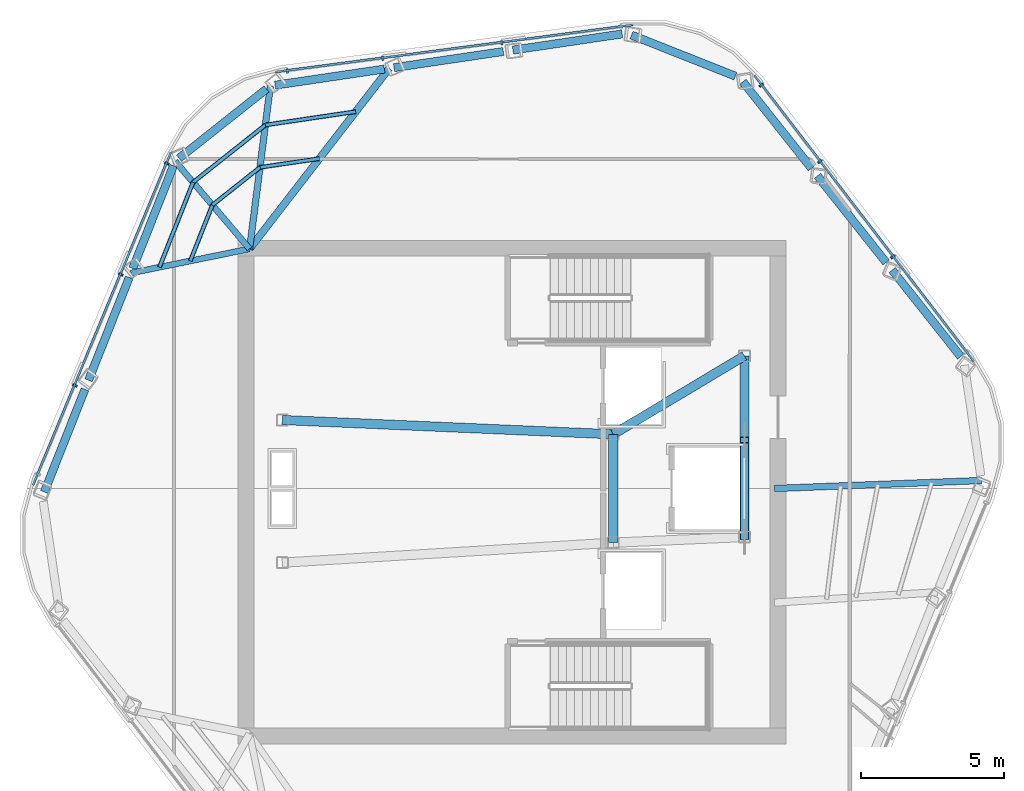
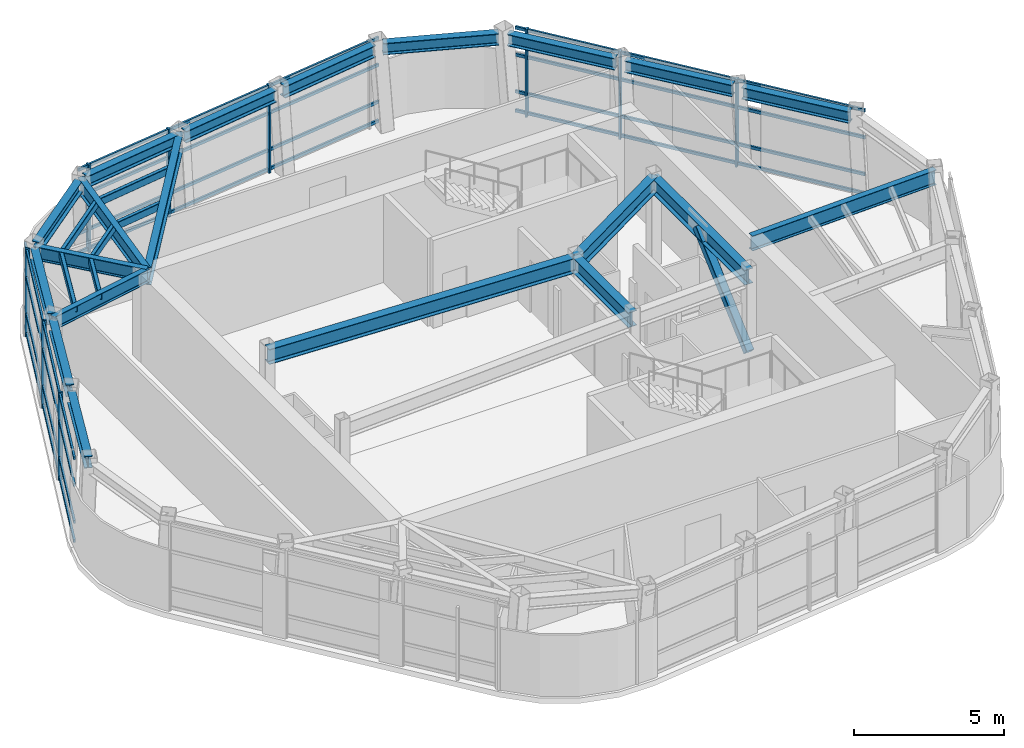
# One storey, part 3 of 9: 28 members, 20 beams, 3 elements without a shape of their own.
"""IFC4 building model written with IfcOpenShell, lengths in metres."""

from ifc_helpers import new_model, si_unit, direction, frame, origin, origin_2d, place, context, subcontext, project, spatial, rectangle, hollow_rectangle, i_section, extrude, material, layer, layer_set, material_profile, profile_set, type_object, element, aggregate, save


model = new_model("IFC4")

# Units and contexts
model_context = context("Model", 3, precision=1e-05, world=origin(), true_north=direction((0.0, 1.0)))
body_context = subcontext(model_context, "Body", "Model", "MODEL_VIEW")
ifc_project = project(units=[si_unit("LENGTHUNIT", "METRE"), si_unit("AREAUNIT", "SQUARE_METRE"), si_unit("VOLUMEUNIT", "CUBIC_METRE"), si_unit("PLANEANGLEUNIT", "RADIAN"), si_unit("MASSUNIT", "GRAM", prefix="KILO")], contexts=[model_context])

# Site, building, storey
site_placement = place(None, origin())
site = spatial("IfcSite", under=ifc_project, at=site_placement, CompositionType="ELEMENT")
building_placement = place(site_placement, origin())
building = spatial("IfcBuilding", under=site, at=building_placement, Name="Valkerne Bourse Tower", CompositionType="ELEMENT")
storey_placement = place(building_placement, frame((0.0, 0.0, 315.39990234375)))
storey = spatial("IfcBuildingStorey", under=building, at=storey_placement, Name="L80", CompositionType="ELEMENT", Elevation=315.39990234375)

# Beams
ifc_material_1 = material(Name="Steel ASTM A992", Category="steel")
ifc_material_profile_1 = material_profile(ifc_material_1, i_section(OverallWidth=0.284423828125, OverallDepth=0.47509765625, WebThickness=0.014892578125, FlangeThickness=0.02392578125, FilletRadius=0.017822265625, at=origin_2d()), Name="W18X106")
ifc_profile_set_1 = profile_set([ifc_material_profile_1], Name="Steel ASTM A992")
beam_type_1 = type_object("IfcBeamType", Name="BM-W18X106", PredefinedType="BEAM", material=ifc_profile_set_1)
for number, where, z_axis, x_axis, name in (
    (1, (50.66162109375, 42.933837890625, 3.342529296875), (-0.98927005434, -0.146098458532, 0.0), (0.146098458532, -0.98927005434, 0.0), "L80 Hexagonal Spandrel Ring Beam 00"),
    (2, (46.494873046875, 42.318603515625, 3.342529296875), (-0.989260939107, -0.146160166795, 0.0), (0.146160166795, -0.989260939107, 0.0), "L80 Hexagonal Spandrel Ring Beam 01"),
    (3, (42.328125, 41.703125, 3.342529296875), (-0.98927005434, -0.146098458532, 0.0), (0.146098458532, -0.98927005434, 0.0), "L80 Hexagonal Spandrel Ring Beam 02"),
):
    element("IfcBeam", number, at=place(storey_placement, frame(where, z_axis=z_axis, x_axis=x_axis)), inside=storey, type_object=beam_type_1, Name=name, PredefinedType="BEAM", context=body_context, shape_type="SweptSolid", body=[
        extrude(i_section(OverallWidth=0.284423828125, OverallDepth=0.47509765625, WebThickness=0.014892578125, FlangeThickness=0.02392578125, FilletRadius=0.017822265625, at=origin_2d()), origin(), (0.0, 0.0, 1.0), 3.871826171875),
    ])
beam_1_placement = place(storey_placement, frame((38.1962890625, 41.007080078125, 3.342529296875), z_axis=(-0.783695480101, -0.621145228162, 0.0), x_axis=(0.621145228162, -0.783695480101, 0.0)))
element("IfcBeam", 4, at=beam_1_placement, inside=storey, type_object=beam_type_1, Name="L80 Hexagonal Spandrel Ring Beam 03", PredefinedType="BEAM", context=body_context, shape_type="SweptSolid", body=[
    extrude(i_section(OverallWidth=0.284423828125, OverallDepth=0.47509765625, WebThickness=0.014892578125, FlangeThickness=0.02392578125, FilletRadius=0.017822265625, at=origin_2d()), origin(), (0.0, 0.0, 1.0), 3.91552734375),
])
for number, where, z_axis, x_axis, name in (
    (5, (34.931884765625, 38.311279296875, 3.342529296875), (-0.368159741389, -0.929762552924, 0.0), (0.929762552924, -0.368159741389, 0.0), "L80 Hexagonal Spandrel Ring Beam 04"),
    (6, (33.381103515625, 34.39501953125, 3.342529296875), (-0.368105233791, -0.929784134547, 0.0), (0.929784134547, -0.368105233791, 0.0), "L80 Hexagonal Spandrel Ring Beam 05"),
):
    element("IfcBeam", number, at=place(storey_placement, frame(where, z_axis=z_axis, x_axis=x_axis)), inside=storey, type_object=beam_type_1, Name=name, PredefinedType="BEAM", context=body_context, shape_type="SweptSolid", body=[
        extrude(i_section(OverallWidth=0.284423828125, OverallDepth=0.47509765625, WebThickness=0.014892578125, FlangeThickness=0.02392578125, FilletRadius=0.017822265625, at=origin_2d()), origin(), (0.0, 0.0, 1.0), 3.8720703125),
    ])
for number, where, z_axis, x_axis, name in (
    (7, (31.830810546875, 30.478759765625, 3.342529296875), (-0.368126815483, -0.92977558998, 0.0), (0.92977558998, -0.368126815483, 0.0), "L80 Hexagonal Spandrel Ring Beam 06"),
    (8, (62.530029296875, 31.62255859375, 3.342529296875), (-0.621143752314, 0.783696649834, 0.0), (-0.783696649834, -0.621143752314, 0.0), "L80 Hexagonal Spandrel Ring Beam 20"),
):
    element("IfcBeam", number, at=place(storey_placement, frame(where, z_axis=z_axis, x_axis=x_axis)), inside=storey, type_object=beam_type_1, Name=name, PredefinedType="BEAM", context=body_context, shape_type="SweptSolid", body=[
        extrude(i_section(OverallWidth=0.284423828125, OverallDepth=0.47509765625, WebThickness=0.014892578125, FlangeThickness=0.02392578125, FilletRadius=0.017822265625, at=origin_2d()), origin(), (0.0, 0.0, 1.0), 3.871826171875),
    ])
beam_2_placement = place(storey_placement, frame((59.913818359375, 34.92333984375, 3.342529296875), z_axis=(-0.62115178414, 0.783690283888, 0.0), x_axis=(-0.783690283888, -0.62115178414, 0.0)))
element("IfcBeam", 9, at=beam_2_placement, inside=storey, type_object=beam_type_1, Name="L80 Hexagonal Spandrel Ring Beam 21", PredefinedType="BEAM", context=body_context, shape_type="SweptSolid", body=[
    extrude(i_section(OverallWidth=0.284423828125, OverallDepth=0.47509765625, WebThickness=0.014892578125, FlangeThickness=0.02392578125, FilletRadius=0.017822265625, at=origin_2d()), origin(), (0.0, 0.0, 1.0), 3.872314453125),
])
beam_3_placement = place(storey_placement, frame((57.29736328125, 38.224365234375, 3.342529296875), z_axis=(-0.621143752314, 0.783696649834, 0.0), x_axis=(-0.783696649834, -0.621143752314, 0.0)))
element("IfcBeam", 10, at=beam_3_placement, inside=storey, type_object=beam_type_1, Name="L80 Hexagonal Spandrel Ring Beam 22", PredefinedType="BEAM", context=body_context, shape_type="SweptSolid", body=[
    extrude(i_section(OverallWidth=0.284423828125, OverallDepth=0.47509765625, WebThickness=0.014892578125, FlangeThickness=0.02392578125, FilletRadius=0.017822265625, at=origin_2d()), origin(), (0.0, 0.0, 1.0), 3.871826171875),
])
beam_4_placement = place(storey_placement, frame((54.628662109375, 41.45458984375, 3.342529296875), z_axis=(-0.929778160455, 0.368120323184, 0.0), x_axis=(-0.368120323184, -0.929778160455, 0.0)))
element("IfcBeam", 11, at=beam_4_placement, inside=storey, type_object=beam_type_1, Name="L80 Hexagonal Spandrel Ring Beam 23", PredefinedType="BEAM", context=body_context, shape_type="SweptSolid", body=[
    extrude(i_section(OverallWidth=0.284423828125, OverallDepth=0.47509765625, WebThickness=0.014892578125, FlangeThickness=0.02392578125, FilletRadius=0.017822265625, at=origin_2d()), origin(), (0.0, 0.0, 1.0), 3.91552734375),
])
ifc_material_profile_2 = material_profile(ifc_material_1, i_section(OverallWidth=0.209228515625, OverallDepth=0.533447265625, WebThickness=0.01025390625, FlangeThickness=0.015625, FilletRadius=0.017822265625, at=origin_2d()), Name="W21X62")
ifc_profile_set_2 = profile_set([ifc_material_profile_2], Name="Steel ASTM A992")
beam_type_2 = type_object("IfcBeamType", Name="BM-W21X62", PredefinedType="JOIST", material=ifc_profile_set_2)
beam_5_placement = place(storey_placement, frame((33.44384765625, 34.552978515625, 3.3134765625), z_axis=(0.979863621265, 0.199667933633, 0.0), x_axis=(-0.199667933633, 0.979863621265, 0.0)))
element("IfcBeam", 12, at=beam_5_placement, inside=storey, type_object=beam_type_2, Name="L80 Radial Composite Floor Beam 05", PredefinedType="JOIST", context=body_context, shape_type="SweptSolid", body=[
    extrude(i_section(OverallWidth=0.209228515625, OverallDepth=0.533447265625, WebThickness=0.01025390625, FlangeThickness=0.015625, FilletRadius=0.017822265625, at=origin_2d()), origin(), (0.0, 0.0, 1.0), 4.24169921875),
])
ifc_material_profile_3 = material_profile(ifc_material_1, i_section(OverallWidth=0.2138671875, OverallDepth=0.548583984375, WebThickness=0.0146484375, FlangeThickness=0.023681640625, FilletRadius=0.017822265625, at=origin_2d()), Name="W21X93")
ifc_profile_set_3 = profile_set([ifc_material_profile_3], Name="Steel ASTM A992")
beam_type_3 = type_object("IfcBeamType", Name="BM-W21X93", PredefinedType="BEAM", material=ifc_profile_set_3)
beam_6_placement = place(storey_placement, frame((34.994384765625, 38.469482421875, 3.305908203125), z_axis=(0.647153701976, -0.762359551667, 0.0), x_axis=(0.762359551667, 0.647153701976, 0.0)))
element("IfcBeam", 13, at=beam_6_placement, inside=storey, type_object=beam_type_3, Name="L80 Radial Composite Floor Beam 04", PredefinedType="BEAM", context=body_context, shape_type="SweptSolid", body=[
    extrude(i_section(OverallWidth=0.2138671875, OverallDepth=0.548583984375, WebThickness=0.0146484375, FlangeThickness=0.023681640625, FilletRadius=0.017822265625, at=origin_2d()), origin(), (0.0, 0.0, 1.0), 4.0263671875),
])
ifc_material_profile_4 = material_profile(ifc_material_1, i_section(OverallWidth=0.3251953125, OverallDepth=0.612060546875, WebThickness=0.0126953125, FlangeThickness=0.01904296875, FilletRadius=0.020263671875, at=origin_2d()), Name="W24X104")
ifc_profile_set_4 = profile_set([ifc_material_profile_4], Name="Steel ASTM A992")
beam_type_4 = type_object("IfcBeamType", Name="BM-W24X104", PredefinedType="BEAM", material=ifc_profile_set_4)
beam_7_placement = place(storey_placement, frame((50.35009765625, 25.10009765625, 3.27392578125), z_axis=(0.0, 1.0, 0.0), x_axis=(-1.0, 0.0, 0.0)))
element("IfcBeam", 14, at=beam_7_placement, inside=storey, type_object=beam_type_4, Name="L80 Core Frame Girder CG-CE", PredefinedType="BEAM", context=body_context, shape_type="SweptSolid", body=[
    extrude(i_section(OverallWidth=0.3251953125, OverallDepth=0.612060546875, WebThickness=0.0126953125, FlangeThickness=0.01904296875, FilletRadius=0.020263671875, at=origin_2d()), origin(), (0.0, 0.0, 1.0), 3.7998046875),
])
beam_8_placement = place(storey_placement, frame((50.35009765625, 28.89990234375, 3.27392578125), z_axis=(0.858307823492, 0.513135148019, 0.0), x_axis=(-0.513135148019, 0.858307823492, 0.0)))
element("IfcBeam", 15, at=beam_8_placement, inside=storey, type_object=beam_type_4, Name="L80 Core Frame Girder CG-NE", PredefinedType="BEAM", context=body_context, shape_type="SweptSolid", body=[
    extrude(i_section(OverallWidth=0.3251953125, OverallDepth=0.612060546875, WebThickness=0.0126953125, FlangeThickness=0.01904296875, FilletRadius=0.020263671875, at=origin_2d()), origin(), (0.0, 0.0, 1.0), 5.359130859375),
])
beam_9_placement = place(storey_placement, frame((54.949951171875, 25.300048828125, 3.27392578125), z_axis=(0.0, 1.0, 0.0), x_axis=(-1.0, 0.0, 0.0)))
element("IfcBeam", 16, at=beam_9_placement, inside=storey, type_object=beam_type_4, Name="L80 Core Frame Girder CG-EE", PredefinedType="BEAM", context=body_context, shape_type="SweptSolid", body=[
    extrude(i_section(OverallWidth=0.3251953125, OverallDepth=0.612060546875, WebThickness=0.0126953125, FlangeThickness=0.01904296875, FilletRadius=0.020263671875, at=origin_2d()), origin(), (0.0, 0.0, 1.0), 6.349853515625),
])
beam_10_placement = place(storey_placement, frame((38.75, 29.39990234375, 3.27392578125), z_axis=(0.999072354402, -0.043063101019, 0.0), x_axis=(0.043063101019, 0.999072354402, 0.0)))
element("IfcBeam", 17, at=beam_10_placement, inside=storey, type_object=beam_type_4, Name="L80 Core Frame Girder CG-NW", PredefinedType="BEAM", context=body_context, shape_type="SweptSolid", body=[
    extrude(i_section(OverallWidth=0.3251953125, OverallDepth=0.612060546875, WebThickness=0.0126953125, FlangeThickness=0.01904296875, FilletRadius=0.020263671875, at=origin_2d()), origin(), (0.0, 0.0, 1.0), 11.61083984375),
])
ifc_material_profile_5 = material_profile(ifc_material_1, i_section(OverallWidth=0.228271484375, OverallDepth=0.607177734375, WebThickness=0.01123046875, FlangeThickness=0.017333984375, FilletRadius=0.017822265625, at=origin_2d()), Name="W24X76")
ifc_profile_set_5 = profile_set([ifc_material_profile_5], Name="Steel ASTM A992")
beam_type_5 = type_object("IfcBeamType", Name="BM-W24X76", PredefinedType="JOIST", material=ifc_profile_set_5)
beam_11_placement = place(storey_placement, frame((38.32958984375, 41.11279296875, 3.276611328125), z_axis=(-0.126663835603, -0.991945700505, 0.0), x_axis=(0.991945700505, -0.126663835603, 0.0)))
element("IfcBeam", 18, at=beam_11_placement, inside=storey, type_object=beam_type_5, Name="L80 Radial Composite Floor Beam 03", PredefinedType="JOIST", context=body_context, shape_type="SweptSolid", body=[
    extrude(i_section(OverallWidth=0.228271484375, OverallDepth=0.607177734375, WebThickness=0.01123046875, FlangeThickness=0.017333984375, FilletRadius=0.017822265625, at=origin_2d()), origin(), (0.0, 0.0, 1.0), 5.75927734375),
])
beam_12_placement = place(storey_placement, frame((63.257080078125, 27.279296875, 3.276611328125), z_axis=(-0.999260230874, -0.038457651947, 0.0), x_axis=(0.038457651947, -0.999260230874, 0.0)))
element("IfcBeam", 19, at=beam_12_placement, inside=storey, type_object=beam_type_5, Name="L80 Radial Composite Floor Beam 19", PredefinedType="JOIST", context=body_context, shape_type="SweptSolid", body=[
    extrude(i_section(OverallWidth=0.228271484375, OverallDepth=0.607177734375, WebThickness=0.01123046875, FlangeThickness=0.017333984375, FilletRadius=0.017822265625, at=origin_2d()), origin(), (0.0, 0.0, 1.0), 7.262451171875),
])
ifc_material_profile_6 = material_profile(ifc_material_1, i_section(OverallWidth=0.255859375, OverallDepth=0.693359375, WebThickness=0.014404296875, FlangeThickness=0.023681640625, FilletRadius=0.02294921875, at=origin_2d()), Name="W27X114")
ifc_profile_set_6 = profile_set([ifc_material_profile_6], Name="Steel ASTM A992")
beam_type_6 = type_object("IfcBeamType", Name="BM-W27X114", PredefinedType="BEAM", material=ifc_profile_set_6)
beam_13_placement = place(storey_placement, frame((42.496337890625, 41.72802734375, 3.2333984375), z_axis=(-0.611942382246, -0.790902345939, 0.0), x_axis=(0.790902345939, -0.611942382246, 0.0)))
element("IfcBeam", 20, at=beam_13_placement, inside=storey, type_object=beam_type_6, Name="L80 Radial Composite Floor Beam 02", PredefinedType="BEAM", context=body_context, shape_type="SweptSolid", body=[
    extrude(i_section(OverallWidth=0.255859375, OverallDepth=0.693359375, WebThickness=0.014404296875, FlangeThickness=0.023681640625, FilletRadius=0.02294921875, at=origin_2d()), origin(), (0.0, 0.0, 1.0), 8.001220703125),
])

# Curtain wall, members
ifc_material_2 = material(Name="Aluminium AA 6063-T6", Category="aluminium")
ifc_layer = layer(ifc_material_2, 0.25)
ifc_layer_set = layer_set([ifc_layer], Name="Aluminium AA 6063-T6")
curtain_wall_type = type_object("IfcCurtainWallType", Name="CW-06", PredefinedType="NOTDEFINED", material=ifc_layer_set)
curtain_wall_1_placement = place(storey_placement, origin())
curtain_wall_1 = element("IfcCurtainWall", 21, at=curtain_wall_1_placement, inside=storey, type_object=curtain_wall_type, Name="L80 Hexagonal Stick Curtain Wall Face 1", PredefinedType="NOTDEFINED")
ifc_material_profile_7 = material_profile(ifc_material_2, rectangle(XDim=0.074951171875, YDim=0.159912109375, at=origin_2d()), Name="CWM-75X160")
ifc_profile_set_7 = profile_set([ifc_material_profile_7], Name="Aluminium AA 6063-T6")
member_type_1 = type_object("IfcMemberType", Name="CW-MUL-160X75", PredefinedType="MULLION", material=ifc_profile_set_7)
member_1_placement = place(storey_placement, frame((46.443359375, 42.6259765625, 0.0), z_axis=(0.0, 0.0, 1.0), x_axis=(-0.991443867861, -0.130533738481, 0.0)))
member_1 = element("IfcMember", 22, at=member_1_placement, type_object=member_type_1, Name="CW-L80-F1 Jamb Mullion 01A", PredefinedType="MULLION", context=body_context, shape_type="SweptSolid", body=[
    extrude(rectangle(XDim=0.074951171875, YDim=0.159912109375, at=origin_2d()), origin(), (0.0, 0.0, 1.0), 3.580078125),
])
member_2_placement = place(storey_placement, frame((42.267333984375, 42.076171875, 0.0), z_axis=(0.0, 0.0, 1.0), x_axis=(-0.991447344601, -0.130507328854, 0.0)))
member_2 = element("IfcMember", 23, at=member_2_placement, type_object=member_type_1, Name="CW-L80-F1 Jamb Mullion 02A", PredefinedType="MULLION", context=body_context, shape_type="SweptSolid", body=[
    extrude(rectangle(XDim=0.074951171875, YDim=0.159912109375, at=origin_2d()), origin(), (0.0, 0.0, 1.0), 3.580078125),
])
member_3_placement = place(storey_placement, frame((38.92431640625, 41.635986328125, 0.0), z_axis=(0.0, 0.0, 1.0), x_axis=(-0.991447344601, -0.130507328854, 0.0)))
member_3 = element("IfcMember", 24, at=member_3_placement, type_object=member_type_1, Name="CW-L80-F1 Jamb Mullion 02B", PredefinedType="MULLION", context=body_context, shape_type="SweptSolid", body=[
    extrude(rectangle(XDim=0.074951171875, YDim=0.159912109375, at=origin_2d()), origin(), (0.0, 0.0, 1.0), 3.580078125),
])

curtain_wall_2_placement = place(storey_placement, origin())
curtain_wall_2 = element("IfcCurtainWall", 25, at=curtain_wall_2_placement, inside=storey, type_object=curtain_wall_type, Name="L80 Hexagonal Stick Curtain Wall Face 2", PredefinedType="NOTDEFINED")
member_4_placement = place(storey_placement, frame((34.701171875, 38.3955078125, 0.0), z_axis=(0.0, 0.0, 1.0), x_axis=(-0.382689378694, -0.923877069439, 0.0)))
member_4 = element("IfcMember", 26, at=member_4_placement, type_object=member_type_1, Name="CW-L80-F2 Jamb Mullion 00A", PredefinedType="MULLION", context=body_context, shape_type="SweptSolid", body=[
    extrude(rectangle(XDim=0.074951171875, YDim=0.159912109375, at=origin_2d()), origin(), (0.0, 0.0, 1.0), 3.580078125),
])
member_5_placement = place(storey_placement, frame((33.08935546875, 34.504150390625, 0.0), z_axis=(0.0, 0.0, 1.0), x_axis=(-0.382669113873, -0.923885463295, 0.0)))
member_5 = element("IfcMember", 27, at=member_5_placement, type_object=member_type_1, Name="CW-L80-F2 Jamb Mullion 01A", PredefinedType="MULLION", context=body_context, shape_type="SweptSolid", body=[
    extrude(rectangle(XDim=0.074951171875, YDim=0.159912109375, at=origin_2d()), origin(), (0.0, 0.0, 1.0), 3.580078125),
])
member_6_placement = place(storey_placement, frame((31.4775390625, 30.61279296875, 0.0), z_axis=(0.0, 0.0, 1.0), x_axis=(-0.382689378694, -0.923877069439, 0.0)))
member_6 = element("IfcMember", 28, at=member_6_placement, type_object=member_type_1, Name="CW-L80-F2 Jamb Mullion 02A", PredefinedType="MULLION", context=body_context, shape_type="SweptSolid", body=[
    extrude(rectangle(XDim=0.074951171875, YDim=0.159912109375, at=origin_2d()), origin(), (0.0, 0.0, 1.0), 3.580078125),
])

curtain_wall_3_placement = place(storey_placement, origin())
curtain_wall_3 = element("IfcCurtainWall", 29, at=curtain_wall_3_placement, inside=storey, type_object=curtain_wall_type, Name="L80 Hexagonal Stick Curtain Wall Face 6", PredefinedType="NOTDEFINED")
member_7_placement = place(storey_placement, frame((60.154052734375, 35.121826171875, 0.0), z_axis=(0.0, 0.0, 1.0), x_axis=(-0.608761449474, 0.793353324588, 0.0)))
member_7 = element("IfcMember", 30, at=member_7_placement, type_object=member_type_1, Name="CW-L80-F6 Jamb Mullion 01A", PredefinedType="MULLION", context=body_context, shape_type="SweptSolid", body=[
    extrude(rectangle(XDim=0.074951171875, YDim=0.159912109375, at=origin_2d()), origin(), (0.0, 0.0, 1.0), 3.580078125),
])
member_8_placement = place(storey_placement, frame((57.590087890625, 38.46337890625, 0.0), z_axis=(0.0, 0.0, 1.0), x_axis=(-0.608761449474, 0.793353324588, 0.0)))
member_8 = element("IfcMember", 31, at=member_8_placement, type_object=member_type_1, Name="CW-L80-F6 Jamb Mullion 02A", PredefinedType="MULLION", context=body_context, shape_type="SweptSolid", body=[
    extrude(rectangle(XDim=0.074951171875, YDim=0.159912109375, at=origin_2d()), origin(), (0.0, 0.0, 1.0), 3.580078125),
])
member_9_placement = place(storey_placement, frame((55.537109375, 41.138671875, 0.0), z_axis=(0.0, 0.0, 1.0), x_axis=(-0.608761449474, 0.793353324588, 0.0)))
member_9 = element("IfcMember", 32, at=member_9_placement, type_object=member_type_1, Name="CW-L80-F6 Jamb Mullion 02B", PredefinedType="MULLION", context=body_context, shape_type="SweptSolid", body=[
    extrude(rectangle(XDim=0.074951171875, YDim=0.159912109375, at=origin_2d()), origin(), (0.0, 0.0, 1.0), 3.580078125),
])

# Member
ifc_material_profile_8 = material_profile(ifc_material_2, rectangle(XDim=0.074951171875, YDim=0.1201171875, at=origin_2d()), Name="CWT-75X120")
ifc_profile_set_8 = profile_set([ifc_material_profile_8], Name="Aluminium AA 6063-T6")
member_type_2 = type_object("IfcMemberType", Name="CW-TRN-120X75", PredefinedType="USERDEFINED", material=ifc_profile_set_8)
member_10_placement = place(storey_placement, frame((51.033203125, 43.250244140625, 0.1201171875), z_axis=(-0.991446731277, -0.130511988108, 0.0), x_axis=(0.130511988108, -0.991446731277, 0.0)))
member_10 = element("IfcMember", 33, at=member_10_placement, type_object=member_type_2, Name="CW-L80-F1 Continuous Face Transom 1", ObjectType="TRANSOM", PredefinedType="USERDEFINED", context=body_context, shape_type="SweptSolid", body=[
    extrude(rectangle(XDim=0.074951171875, YDim=0.1201171875, at=origin_2d()), origin(), (0.0, 0.0, 1.0), 12.63623046875),
])

member_11_placement = place(storey_placement, frame((51.033203125, 43.250244140625, 0.900146484375), z_axis=(-0.991446731277, -0.130511988108, 0.0), x_axis=(0.130511988108, -0.991446731277, 0.0)))
member_11 = element("IfcMember", 34, at=member_11_placement, type_object=member_type_2, Name="CW-L80-F1 Continuous Face Transom 2", ObjectType="TRANSOM", PredefinedType="USERDEFINED", context=body_context, shape_type="SweptSolid", body=[
    extrude(rectangle(XDim=0.074951171875, YDim=0.1201171875, at=origin_2d()), origin(), (0.0, 0.0, 1.0), 12.63623046875),
])

member_12_placement = place(storey_placement, frame((51.033203125, 43.250244140625, 2.400146484375), z_axis=(-0.991446731277, -0.130511988108, 0.0), x_axis=(0.130511988108, -0.991446731277, 0.0)))
member_12 = element("IfcMember", 35, at=member_12_placement, type_object=member_type_2, Name="CW-L80-F1 Continuous Face Transom 3", ObjectType="TRANSOM", PredefinedType="USERDEFINED", context=body_context, shape_type="SweptSolid", body=[
    extrude(rectangle(XDim=0.074951171875, YDim=0.1201171875, at=origin_2d()), origin(), (0.0, 0.0, 1.0), 12.63623046875),
])

member_13_placement = place(storey_placement, frame((51.033203125, 43.250244140625, 3.5), z_axis=(-0.991446731277, -0.130511988108, 0.0), x_axis=(0.130511988108, -0.991446731277, 0.0)))
member_13 = element("IfcMember", 36, at=member_13_placement, type_object=member_type_2, Name="CW-L80-F1 Continuous Face Transom 4", ObjectType="TRANSOM", PredefinedType="USERDEFINED", context=body_context, shape_type="SweptSolid", body=[
    extrude(rectangle(XDim=0.074951171875, YDim=0.1201171875, at=origin_2d()), origin(), (0.0, 0.0, 1.0), 12.63623046875),
])

aggregate(curtain_wall_1, [member_10, member_11, member_12, member_13, member_1, member_2, member_3])

member_14_placement = place(storey_placement, frame((34.843505859375, 38.791259765625, 0.1201171875), z_axis=(-0.382685673107, -0.923878604363, 0.0), x_axis=(0.923878604363, -0.382685673107, 0.0)))
member_14 = element("IfcMember", 37, at=member_14_placement, type_object=member_type_2, Name="CW-L80-F2 Continuous Face Transom 1", ObjectType="TRANSOM", PredefinedType="USERDEFINED", context=body_context, shape_type="SweptSolid", body=[
    extrude(rectangle(XDim=0.074951171875, YDim=0.1201171875, at=origin_2d()), origin(), (0.0, 0.0, 1.0), 12.63623046875),
])

member_15_placement = place(storey_placement, frame((34.843505859375, 38.791259765625, 0.900146484375), z_axis=(-0.382685673107, -0.923878604363, 0.0), x_axis=(0.923878604363, -0.382685673107, 0.0)))
member_15 = element("IfcMember", 38, at=member_15_placement, type_object=member_type_2, Name="CW-L80-F2 Continuous Face Transom 2", ObjectType="TRANSOM", PredefinedType="USERDEFINED", context=body_context, shape_type="SweptSolid", body=[
    extrude(rectangle(XDim=0.074951171875, YDim=0.1201171875, at=origin_2d()), origin(), (0.0, 0.0, 1.0), 12.63623046875),
])

member_16_placement = place(storey_placement, frame((34.843505859375, 38.791259765625, 2.400146484375), z_axis=(-0.382685673107, -0.923878604363, 0.0), x_axis=(0.923878604363, -0.382685673107, 0.0)))
member_16 = element("IfcMember", 39, at=member_16_placement, type_object=member_type_2, Name="CW-L80-F2 Continuous Face Transom 3", ObjectType="TRANSOM", PredefinedType="USERDEFINED", context=body_context, shape_type="SweptSolid", body=[
    extrude(rectangle(XDim=0.074951171875, YDim=0.1201171875, at=origin_2d()), origin(), (0.0, 0.0, 1.0), 12.63623046875),
])

member_17_placement = place(storey_placement, frame((34.843505859375, 38.791259765625, 3.5), z_axis=(-0.382685673107, -0.923878604363, 0.0), x_axis=(0.923878604363, -0.382685673107, 0.0)))
member_17 = element("IfcMember", 40, at=member_17_placement, type_object=member_type_2, Name="CW-L80-F2 Continuous Face Transom 4", ObjectType="TRANSOM", PredefinedType="USERDEFINED", context=body_context, shape_type="SweptSolid", body=[
    extrude(rectangle(XDim=0.074951171875, YDim=0.1201171875, at=origin_2d()), origin(), (0.0, 0.0, 1.0), 12.63623046875),
])

aggregate(curtain_wall_2, [member_14, member_15, member_16, member_17, member_4, member_5, member_6])

member_18_placement = place(storey_placement, frame((62.98974609375, 31.459228515625, 0.1201171875), z_axis=(-0.608770994095, 0.793346000651, 0.0), x_axis=(-0.793346000651, -0.608770994095, 0.0)))
member_18 = element("IfcMember", 41, at=member_18_placement, type_object=member_type_2, Name="CW-L80-F6 Continuous Face Transom 1", ObjectType="TRANSOM", PredefinedType="USERDEFINED", context=body_context, shape_type="SweptSolid", body=[
    extrude(rectangle(XDim=0.074951171875, YDim=0.1201171875, at=origin_2d()), origin(), (0.0, 0.0, 1.0), 12.635986328125),
])

member_19_placement = place(storey_placement, frame((62.98974609375, 31.459228515625, 0.900146484375), z_axis=(-0.608770994095, 0.793346000651, 0.0), x_axis=(-0.793346000651, -0.608770994095, 0.0)))
member_19 = element("IfcMember", 42, at=member_19_placement, type_object=member_type_2, Name="CW-L80-F6 Continuous Face Transom 2", ObjectType="TRANSOM", PredefinedType="USERDEFINED", context=body_context, shape_type="SweptSolid", body=[
    extrude(rectangle(XDim=0.074951171875, YDim=0.1201171875, at=origin_2d()), origin(), (0.0, 0.0, 1.0), 12.635986328125),
])

member_20_placement = place(storey_placement, frame((62.98974609375, 31.459228515625, 2.400146484375), z_axis=(-0.608770994095, 0.793346000651, 0.0), x_axis=(-0.793346000651, -0.608770994095, 0.0)))
member_20 = element("IfcMember", 43, at=member_20_placement, type_object=member_type_2, Name="CW-L80-F6 Continuous Face Transom 3", ObjectType="TRANSOM", PredefinedType="USERDEFINED", context=body_context, shape_type="SweptSolid", body=[
    extrude(rectangle(XDim=0.074951171875, YDim=0.1201171875, at=origin_2d()), origin(), (0.0, 0.0, 1.0), 12.635986328125),
])

member_21_placement = place(storey_placement, frame((62.98974609375, 31.459228515625, 3.5), z_axis=(-0.608770994095, 0.793346000651, 0.0), x_axis=(-0.793346000651, -0.608770994095, 0.0)))
member_21 = element("IfcMember", 44, at=member_21_placement, type_object=member_type_2, Name="CW-L80-F6 Continuous Face Transom 4", ObjectType="TRANSOM", PredefinedType="USERDEFINED", context=body_context, shape_type="SweptSolid", body=[
    extrude(rectangle(XDim=0.074951171875, YDim=0.1201171875, at=origin_2d()), origin(), (0.0, 0.0, 1.0), 12.635986328125),
])

aggregate(curtain_wall_3, [member_18, member_19, member_20, member_21, member_7, member_8, member_9])

# Members
ifc_material_3 = material(Name="Steel ASTM A500 Grade C", Category="steel")
ifc_material_profile_9 = material_profile(ifc_material_3, hollow_rectangle(XDim=0.14990234375, YDim=0.300048828125, WallThickness=0.012451171875, OuterFilletRadius=0.02490234375, at=origin_2d()), Name="HSS300X150X12.5")
ifc_profile_set_9 = profile_set([ifc_material_profile_9], Name="Steel ASTM A500 Grade C")
member_type_3 = type_object("IfcMemberType", Name="MBR-HSS300X150X12.5", PredefinedType="PURLIN", material=ifc_profile_set_9)
member_22_placement = place(storey_placement, frame((40.048095703125, 38.56396484375, 3.420166015625), z_axis=(-0.989273067016, -0.146078057476, 0.0), x_axis=(0.146078057476, -0.989273067016, 0.0)))
element("IfcMember", 45, at=member_22_placement, inside=storey, type_object=member_type_3, Name="L80 Secondary Composite Floor Purlin M-02", PredefinedType="PURLIN", context=body_context, shape_type="SweptSolid", body=[
    extrude(hollow_rectangle(XDim=0.14990234375, YDim=0.300048828125, WallThickness=0.012451171875, OuterFilletRadius=0.02490234375, at=origin_2d()), origin(), (0.0, 0.0, 1.0), 2.10595703125),
])
member_23_placement = place(storey_placement, frame((37.96484375, 38.25634765625, 3.420166015625), z_axis=(-0.783759575358, -0.621064350961, 0.0), x_axis=(0.621064350961, -0.783759575358, 0.0)))
element("IfcMember", 46, at=member_23_placement, inside=storey, type_object=member_type_3, Name="L80 Secondary Composite Floor Purlin M-03", PredefinedType="PURLIN", context=body_context, shape_type="SweptSolid", body=[
    extrude(hollow_rectangle(XDim=0.14990234375, YDim=0.300048828125, WallThickness=0.012451171875, OuterFilletRadius=0.02490234375, at=origin_2d()), origin(), (0.0, 0.0, 1.0), 2.1279296875),
])
member_24_placement = place(storey_placement, frame((36.297119140625, 36.934814453125, 3.420166015625), z_axis=(-0.368050538897, -0.929805786612, 0.0), x_axis=(0.929805786612, -0.368050538897, 0.0)))
element("IfcMember", 47, at=member_24_placement, inside=storey, type_object=member_type_3, Name="L80 Secondary Composite Floor Purlin M-04", PredefinedType="PURLIN", context=body_context, shape_type="SweptSolid", body=[
    extrude(hollow_rectangle(XDim=0.14990234375, YDim=0.300048828125, WallThickness=0.012451171875, OuterFilletRadius=0.02490234375, at=origin_2d()), origin(), (0.0, 0.0, 1.0), 2.106201171875),
])
member_25_placement = place(storey_placement, frame((41.3212890625, 40.209228515625, 3.420166015625), z_axis=(-0.989278264876, -0.146042852084, 0.0), x_axis=(0.146042852084, -0.989278264876, 0.0)))
element("IfcMember", 48, at=member_25_placement, inside=storey, type_object=member_type_3, Name="L80 Secondary Composite Floor Purlin O-02", PredefinedType="PURLIN", context=body_context, shape_type="SweptSolid", body=[
    extrude(hollow_rectangle(XDim=0.14990234375, YDim=0.300048828125, WallThickness=0.012451171875, OuterFilletRadius=0.02490234375, at=origin_2d()), origin(), (0.0, 0.0, 1.0), 3.201416015625),
])
member_26_placement = place(storey_placement, frame((38.154296875, 39.74169921875, 3.420166015625), z_axis=(-0.783681397557, -0.621162995617, 0.0), x_axis=(0.621162995617, -0.783681397557, 0.0)))
element("IfcMember", 49, at=member_26_placement, inside=storey, type_object=member_type_3, Name="L80 Secondary Composite Floor Purlin O-03", PredefinedType="PURLIN", context=body_context, shape_type="SweptSolid", body=[
    extrude(hollow_rectangle(XDim=0.14990234375, YDim=0.300048828125, WallThickness=0.012451171875, OuterFilletRadius=0.02490234375, at=origin_2d()), origin(), (0.0, 0.0, 1.0), 3.234375),
])
member_27_placement = place(storey_placement, frame((35.61962890625, 37.732666015625, 3.420166015625), z_axis=(-0.368074551198, -0.929796281322, 0.0), x_axis=(0.929796281322, -0.368074551198, 0.0)))
element("IfcMember", 50, at=member_27_placement, inside=storey, type_object=member_type_3, Name="L80 Secondary Composite Floor Purlin O-04", PredefinedType="PURLIN", context=body_context, shape_type="SweptSolid", body=[
    extrude(hollow_rectangle(XDim=0.14990234375, YDim=0.300048828125, WallThickness=0.012451171875, OuterFilletRadius=0.02490234375, at=origin_2d()), origin(), (0.0, 0.0, 1.0), 3.200927734375),
])
ifc_material_profile_10 = material_profile(ifc_material_3, hollow_rectangle(XDim=0.300048828125, YDim=0.300048828125, WallThickness=0.012451171875, OuterFilletRadius=0.02490234375, at=origin_2d()), Name="HSS300X300X12.5")
ifc_profile_set_10 = profile_set([ifc_material_profile_10], Name="Steel ASTM A500 Grade C")
member_type_4 = type_object("IfcMemberType", Name="MBR-HSS300X300X12.5", PredefinedType="STRUT", material=ifc_profile_set_10)
member_28_placement = place(storey_placement, frame((54.949951171875, 25.300048828125, 0.22021484375), z_axis=(0.0, 0.743968491622, 0.668214698636), x_axis=(-1.0, 0.0, 0.0)))
element("IfcMember", 51, at=member_28_placement, inside=storey, type_object=member_type_4, Name="L80 Core Service Pier Lateral Brace", PredefinedType="STRUT", context=body_context, shape_type="SweptSolid", body=[
    extrude(hollow_rectangle(XDim=0.300048828125, YDim=0.300048828125, WallThickness=0.012451171875, OuterFilletRadius=0.02490234375, at=origin_2d()), origin(), (0.0, 0.0, 1.0), 4.570068359375),
])

save(model, "model.ifc")
